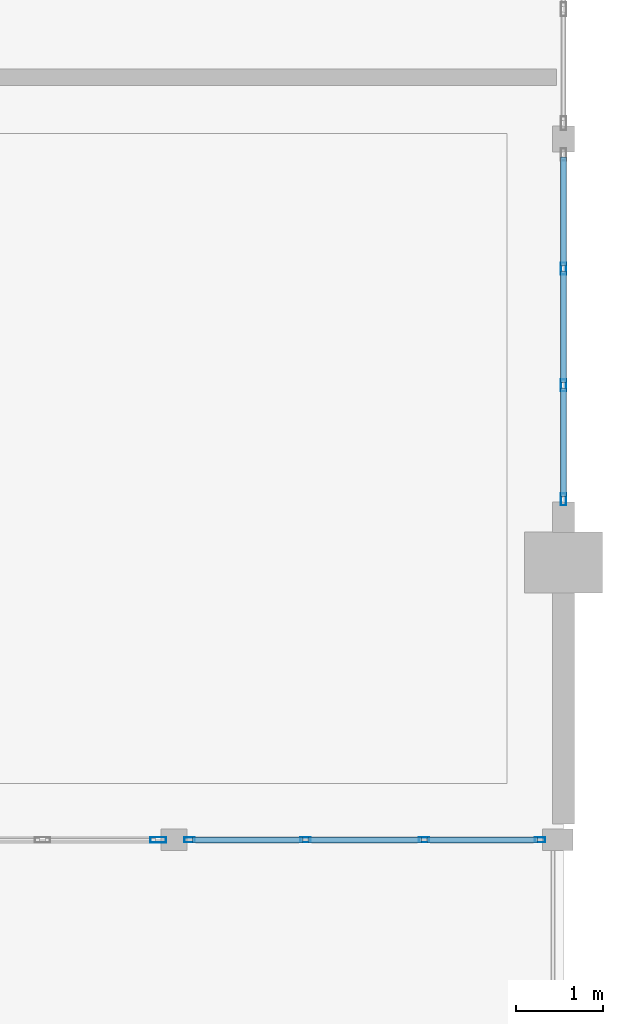
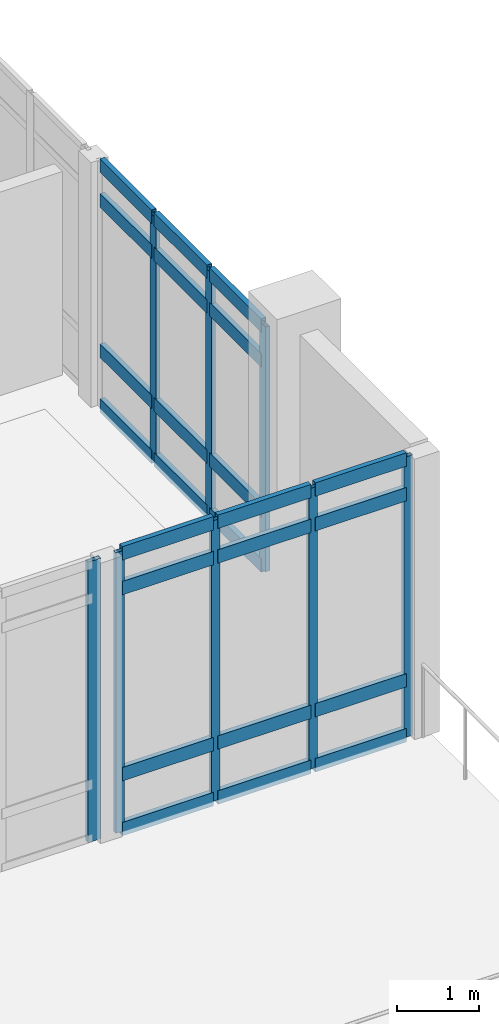
# One storey, part 34 of 55: 32 members, 3 elements without a shape of their own.
"""IFC4 building model written with IfcOpenShell, lengths in metres."""

from ifc_helpers import new_model, si_unit, direction, frame, origin, origin_2d, place, context, subcontext, project, spatial, hollow_rectangle, extrude, material, layer, layer_set, material_profile, profile_set, type_object, element, aggregate, save


model = new_model("IFC4")

# Units and contexts
model_context = context("Model", 3, precision=1e-05, world=origin(), true_north=direction((0.0, 1.0)))
body_context = subcontext(model_context, "Body", "Model", "MODEL_VIEW")
ifc_project = project(units=[si_unit("LENGTHUNIT", "METRE"), si_unit("AREAUNIT", "SQUARE_METRE"), si_unit("VOLUMEUNIT", "CUBIC_METRE"), si_unit("PLANEANGLEUNIT", "RADIAN"), si_unit("MASSUNIT", "GRAM", prefix="KILO")], contexts=[model_context])

# Site, building, storey
site_placement = place(None, origin())
site = spatial("IfcSite", under=ifc_project, at=site_placement, CompositionType="ELEMENT")
building_placement = place(site_placement, origin())
building = spatial("IfcBuilding", under=site, at=building_placement, Name="Fikremerkos Civic Library", CompositionType="ELEMENT")
storey_placement = place(building_placement, frame((0.0, 0.0, 18.89990234375)))
storey = spatial("IfcBuildingStorey", under=building, at=storey_placement, Name="L04", CompositionType="ELEMENT", Elevation=18.89990234375)

# Curtain wall, member
ifc_material = material(Name="Anodized aluminium Frame", Category="aluminium")
ifc_layer_1 = layer(ifc_material, 0.159912109375, Name="Anodized aluminium Frame")
ifc_layer_set_1 = layer_set([ifc_layer_1], Name="Anodized aluminium Frame")
curtain_wall_type_1 = type_object("IfcCurtainWallType", Name="Unitised curtain wall CW-17 4600x3600", PredefinedType="USERDEFINED", material=ifc_layer_set_1)
curtain_wall_1_placement = place(storey_placement, origin())
curtain_wall_1 = element("IfcCurtainWall", 1, at=curtain_wall_1_placement, inside=storey, type_object=curtain_wall_type_1, Name="Unitised curtain wall CW-17 L04 #215", ObjectType="UNITISED CURTAIN WALL", PredefinedType="USERDEFINED")
ifc_material_profile_1 = material_profile(ifc_material, hollow_rectangle(XDim=0.06494140625, YDim=0.179931640625, WallThickness=0.00439453125, at=origin_2d()), Name="ALU 180x65x4.5")
ifc_profile_set_1 = profile_set([ifc_material_profile_1], Name="Anodized aluminium Frame")
member_type_1 = type_object("IfcMemberType", Name="Curtain mullion CWM-01 ALU 180x65x4.5", PredefinedType="MULLION", material=ifc_profile_set_1)
member_1_placement = place(storey_placement, frame((109.02490234375, 8.800048828125, 0.0), z_axis=(0.0, 0.0, 1.0), x_axis=(0.0, -1.0, 0.0)))
member_1 = element("IfcMember", 2, at=member_1_placement, type_object=member_type_1, Name="CW-17 mullion 1", PredefinedType="MULLION", context=body_context, shape_type="SweptSolid", body=[
    extrude(hollow_rectangle(XDim=0.06494140625, YDim=0.179931640625, WallThickness=0.00439453125, at=origin_2d()), origin(), (0.0, 0.0, 1.0), 4.16015625),
])
aggregate(curtain_wall_1, [member_1])

# Curtain wall, members
ifc_layer_2 = layer(ifc_material, 0.159912109375, Name="Anodized aluminium Frame")
ifc_layer_set_2 = layer_set([ifc_layer_2], Name="Anodized aluminium Frame")
curtain_wall_type_2 = type_object("IfcCurtainWallType", Name="Unitised curtain wall CW-15 2900x3600", PredefinedType="USERDEFINED", material=ifc_layer_set_2)
curtain_wall_2_placement = place(storey_placement, origin())
curtain_wall_2 = element("IfcCurtainWall", 3, at=curtain_wall_2_placement, inside=storey, type_object=curtain_wall_type_2, Name="Unitised curtain wall CW-15 L04 #213", ObjectType="UNITISED CURTAIN WALL", PredefinedType="USERDEFINED")
ifc_material_profile_2 = material_profile(ifc_material, hollow_rectangle(XDim=0.06005859375, YDim=0.139892578125, WallThickness=0.00390625, at=origin_2d()), Name="ALU 140x60x4")
ifc_profile_set_2 = profile_set([ifc_material_profile_2], Name="Anodized aluminium Frame")
member_type_2 = type_object("IfcMemberType", Name="Curtain mullion CWM-03 ALU 140x60x4", PredefinedType="MULLION", material=ifc_profile_set_2)
member_2_placement = place(storey_placement, frame((113.699951171875, 15.39013671875, 0.0), z_axis=(0.0, 0.0, 1.0), x_axis=(1.0, 0.0, 0.0)))
member_2 = element("IfcMember", 4, at=member_2_placement, type_object=member_type_2, Name="CW-15 mullion 2", PredefinedType="MULLION", context=body_context, shape_type="SweptSolid", body=[
    extrude(hollow_rectangle(XDim=0.06005859375, YDim=0.139892578125, WallThickness=0.00390625, at=origin_2d()), origin(), (0.0, 0.0, 1.0), 3.630126953125),
])
member_3_placement = place(storey_placement, frame((113.699951171875, 14.0439453125, 0.0), z_axis=(0.0, 0.0, 1.0), x_axis=(1.0, 0.0, 0.0)))
member_3 = element("IfcMember", 5, at=member_3_placement, type_object=member_type_2, Name="CW-15 mullion 3", PredefinedType="MULLION", context=body_context, shape_type="SweptSolid", body=[
    extrude(hollow_rectangle(XDim=0.06005859375, YDim=0.139892578125, WallThickness=0.00390625, at=origin_2d()), origin(), (0.0, 0.0, 1.0), 3.630126953125),
])
member_4_placement = place(storey_placement, frame((113.699951171875, 12.72802734375, 0.0), z_axis=(0.0, 0.0, 1.0), x_axis=(1.0, 0.0, 0.0)))
member_4 = element("IfcMember", 6, at=member_4_placement, type_object=member_type_2, Name="CW-15 mullion 4", PredefinedType="MULLION", context=body_context, shape_type="SweptSolid", body=[
    extrude(hollow_rectangle(XDim=0.06005859375, YDim=0.139892578125, WallThickness=0.00390625, at=origin_2d()), origin(), (0.0, 0.0, 1.0), 3.630126953125),
])

ifc_layer_3 = layer(ifc_material, 0.159912109375, Name="Anodized aluminium Frame")
ifc_layer_set_3 = layer_set([ifc_layer_3], Name="Anodized aluminium Frame")
curtain_wall_type_3 = type_object("IfcCurtainWallType", Name="Unitised curtain wall CW-16 3100x4100", PredefinedType="USERDEFINED", material=ifc_layer_set_3)
curtain_wall_3_placement = place(storey_placement, origin())
curtain_wall_3 = element("IfcCurtainWall", 7, at=curtain_wall_3_placement, inside=storey, type_object=curtain_wall_type_3, Name="Unitised curtain wall CW-16 L04 #214", ObjectType="UNITISED CURTAIN WALL", PredefinedType="USERDEFINED")
ifc_material_profile_3 = material_profile(ifc_material, hollow_rectangle(XDim=0.06005859375, YDim=0.1201171875, WallThickness=0.00390625, at=origin_2d()), Name="ALU 120x60x4")
ifc_profile_set_3 = profile_set([ifc_material_profile_3], Name="Anodized aluminium Frame")
member_type_3 = type_object("IfcMemberType", Name="Curtain mullion CWM-04 ALU 120x60x4", PredefinedType="MULLION", material=ifc_profile_set_3)
member_5_placement = place(storey_placement, frame((113.429931640625, 8.800048828125, 0.0), z_axis=(0.0, 0.0, 1.0), x_axis=(0.0, -1.0, 0.0)))
member_5 = element("IfcMember", 8, at=member_5_placement, type_object=member_type_3, Name="CW-16 mullion 1", PredefinedType="MULLION", context=body_context, shape_type="SweptSolid", body=[
    extrude(hollow_rectangle(XDim=0.06005859375, YDim=0.1201171875, WallThickness=0.00390625, at=origin_2d()), origin(), (0.0, 0.0, 1.0), 4.16015625),
])
member_6_placement = place(storey_placement, frame((112.092529296875, 8.800048828125, 0.0), z_axis=(0.0, 0.0, 1.0), x_axis=(0.0, -1.0, 0.0)))
member_6 = element("IfcMember", 9, at=member_6_placement, type_object=member_type_3, Name="CW-16 mullion 2", PredefinedType="MULLION", context=body_context, shape_type="SweptSolid", body=[
    extrude(hollow_rectangle(XDim=0.06005859375, YDim=0.1201171875, WallThickness=0.00390625, at=origin_2d()), origin(), (0.0, 0.0, 1.0), 4.16015625),
])
member_7_placement = place(storey_placement, frame((110.724853515625, 8.800048828125, 0.0), z_axis=(0.0, 0.0, 1.0), x_axis=(0.0, -1.0, 0.0)))
member_7 = element("IfcMember", 10, at=member_7_placement, type_object=member_type_3, Name="CW-16 mullion 3", PredefinedType="MULLION", context=body_context, shape_type="SweptSolid", body=[
    extrude(hollow_rectangle(XDim=0.06005859375, YDim=0.1201171875, WallThickness=0.00390625, at=origin_2d()), origin(), (0.0, 0.0, 1.0), 4.16015625),
])
member_8_placement = place(storey_placement, frame((109.387451171875, 8.800048828125, 0.0), z_axis=(0.0, 0.0, 1.0), x_axis=(0.0, -1.0, 0.0)))
member_8 = element("IfcMember", 11, at=member_8_placement, type_object=member_type_3, Name="CW-16 mullion 4", PredefinedType="MULLION", context=body_context, shape_type="SweptSolid", body=[
    extrude(hollow_rectangle(XDim=0.06005859375, YDim=0.1201171875, WallThickness=0.00390625, at=origin_2d()), origin(), (0.0, 0.0, 1.0), 4.16015625),
])

# Member
ifc_material_profile_4 = material_profile(ifc_material, hollow_rectangle(XDim=0.070068359375, YDim=0.199951171875, WallThickness=0.0048828125, at=origin_2d()), Name="ALU 200x70x5")
ifc_profile_set_4 = profile_set([ifc_material_profile_4], Name="Anodized aluminium Frame")
member_type_4 = type_object("IfcMemberType", Name="Curtain transom CWT-04 ALU 200x70x5", PredefinedType="USERDEFINED", material=ifc_profile_set_4)
member_9_placement = place(storey_placement, frame((113.699951171875, 16.676025390625, 0.03515625), z_axis=(0.0, -1.0, 0.0), x_axis=(1.0, 0.0, 0.0)))
member_9 = element("IfcMember", 12, at=member_9_placement, type_object=member_type_4, Name="CW-15 transom 1.1", ObjectType="TRANSOM", PredefinedType="USERDEFINED", context=body_context, shape_type="SweptSolid", body=[
    extrude(hollow_rectangle(XDim=0.070068359375, YDim=0.199951171875, WallThickness=0.0048828125, at=origin_2d()), origin(), (0.0, 0.0, 1.0), 1.255859375),
])

member_10_placement = place(storey_placement, frame((113.699951171875, 16.676025390625, 0.85009765625), z_axis=(0.0, -1.0, 0.0), x_axis=(1.0, 0.0, 0.0)))
member_10 = element("IfcMember", 13, at=member_10_placement, type_object=member_type_4, Name="CW-15 transom 1.2", ObjectType="TRANSOM", PredefinedType="USERDEFINED", context=body_context, shape_type="SweptSolid", body=[
    extrude(hollow_rectangle(XDim=0.070068359375, YDim=0.199951171875, WallThickness=0.0048828125, at=origin_2d()), origin(), (0.0, 0.0, 1.0), 1.255859375),
])

member_11_placement = place(storey_placement, frame((113.699951171875, 16.676025390625, 3.080078125), z_axis=(0.0, -1.0, 0.0), x_axis=(1.0, 0.0, 0.0)))
member_11 = element("IfcMember", 14, at=member_11_placement, type_object=member_type_4, Name="CW-15 transom 1.3", ObjectType="TRANSOM", PredefinedType="USERDEFINED", context=body_context, shape_type="SweptSolid", body=[
    extrude(hollow_rectangle(XDim=0.070068359375, YDim=0.199951171875, WallThickness=0.0048828125, at=origin_2d()), origin(), (0.0, 0.0, 1.0), 1.255859375),
])

member_12_placement = place(storey_placement, frame((113.699951171875, 16.676025390625, 3.59521484375), z_axis=(0.0, -1.0, 0.0), x_axis=(1.0, 0.0, 0.0)))
member_12 = element("IfcMember", 15, at=member_12_placement, type_object=member_type_4, Name="CW-15 transom 1.4", ObjectType="TRANSOM", PredefinedType="USERDEFINED", context=body_context, shape_type="SweptSolid", body=[
    extrude(hollow_rectangle(XDim=0.070068359375, YDim=0.199951171875, WallThickness=0.0048828125, at=origin_2d()), origin(), (0.0, 0.0, 1.0), 1.255859375),
])

member_13_placement = place(storey_placement, frame((113.699951171875, 15.360107421875, 0.03515625), z_axis=(0.0, -1.0, 0.0), x_axis=(1.0, 0.0, 0.0)))
member_13 = element("IfcMember", 16, at=member_13_placement, type_object=member_type_4, Name="CW-15 transom 2.1", ObjectType="TRANSOM", PredefinedType="USERDEFINED", context=body_context, shape_type="SweptSolid", body=[
    extrude(hollow_rectangle(XDim=0.070068359375, YDim=0.199951171875, WallThickness=0.0048828125, at=origin_2d()), origin(), (0.0, 0.0, 1.0), 1.2861328125),
])

member_14_placement = place(storey_placement, frame((113.699951171875, 15.360107421875, 0.85009765625), z_axis=(0.0, -1.0, 0.0), x_axis=(1.0, 0.0, 0.0)))
member_14 = element("IfcMember", 17, at=member_14_placement, type_object=member_type_4, Name="CW-15 transom 2.2", ObjectType="TRANSOM", PredefinedType="USERDEFINED", context=body_context, shape_type="SweptSolid", body=[
    extrude(hollow_rectangle(XDim=0.070068359375, YDim=0.199951171875, WallThickness=0.0048828125, at=origin_2d()), origin(), (0.0, 0.0, 1.0), 1.2861328125),
])

member_15_placement = place(storey_placement, frame((113.699951171875, 15.360107421875, 3.080078125), z_axis=(0.0, -1.0, 0.0), x_axis=(1.0, 0.0, 0.0)))
member_15 = element("IfcMember", 18, at=member_15_placement, type_object=member_type_4, Name="CW-15 transom 2.3", ObjectType="TRANSOM", PredefinedType="USERDEFINED", context=body_context, shape_type="SweptSolid", body=[
    extrude(hollow_rectangle(XDim=0.070068359375, YDim=0.199951171875, WallThickness=0.0048828125, at=origin_2d()), origin(), (0.0, 0.0, 1.0), 1.2861328125),
])

member_16_placement = place(storey_placement, frame((113.699951171875, 15.360107421875, 3.59521484375), z_axis=(0.0, -1.0, 0.0), x_axis=(1.0, 0.0, 0.0)))
member_16 = element("IfcMember", 19, at=member_16_placement, type_object=member_type_4, Name="CW-15 transom 2.4", ObjectType="TRANSOM", PredefinedType="USERDEFINED", context=body_context, shape_type="SweptSolid", body=[
    extrude(hollow_rectangle(XDim=0.070068359375, YDim=0.199951171875, WallThickness=0.0048828125, at=origin_2d()), origin(), (0.0, 0.0, 1.0), 1.2861328125),
])

member_17_placement = place(storey_placement, frame((113.699951171875, 14.013916015625, 0.03515625), z_axis=(0.0, -1.0, 0.0), x_axis=(1.0, 0.0, 0.0)))
member_17 = element("IfcMember", 20, at=member_17_placement, type_object=member_type_4, Name="CW-15 transom 3.1", ObjectType="TRANSOM", PredefinedType="USERDEFINED", context=body_context, shape_type="SweptSolid", body=[
    extrude(hollow_rectangle(XDim=0.070068359375, YDim=0.199951171875, WallThickness=0.0048828125, at=origin_2d()), origin(), (0.0, 0.0, 1.0), 1.255859375),
])

member_18_placement = place(storey_placement, frame((113.699951171875, 14.013916015625, 0.85009765625), z_axis=(0.0, -1.0, 0.0), x_axis=(1.0, 0.0, 0.0)))
member_18 = element("IfcMember", 21, at=member_18_placement, type_object=member_type_4, Name="CW-15 transom 3.2", ObjectType="TRANSOM", PredefinedType="USERDEFINED", context=body_context, shape_type="SweptSolid", body=[
    extrude(hollow_rectangle(XDim=0.070068359375, YDim=0.199951171875, WallThickness=0.0048828125, at=origin_2d()), origin(), (0.0, 0.0, 1.0), 1.255859375),
])

member_19_placement = place(storey_placement, frame((113.699951171875, 14.013916015625, 3.080078125), z_axis=(0.0, -1.0, 0.0), x_axis=(1.0, 0.0, 0.0)))
member_19 = element("IfcMember", 22, at=member_19_placement, type_object=member_type_4, Name="CW-15 transom 3.3", ObjectType="TRANSOM", PredefinedType="USERDEFINED", context=body_context, shape_type="SweptSolid", body=[
    extrude(hollow_rectangle(XDim=0.070068359375, YDim=0.199951171875, WallThickness=0.0048828125, at=origin_2d()), origin(), (0.0, 0.0, 1.0), 1.255859375),
])

member_20_placement = place(storey_placement, frame((113.699951171875, 14.013916015625, 3.59521484375), z_axis=(0.0, -1.0, 0.0), x_axis=(1.0, 0.0, 0.0)))
member_20 = element("IfcMember", 23, at=member_20_placement, type_object=member_type_4, Name="CW-15 transom 3.4", ObjectType="TRANSOM", PredefinedType="USERDEFINED", context=body_context, shape_type="SweptSolid", body=[
    extrude(hollow_rectangle(XDim=0.070068359375, YDim=0.199951171875, WallThickness=0.0048828125, at=origin_2d()), origin(), (0.0, 0.0, 1.0), 1.255859375),
])

aggregate(curtain_wall_2, [member_2, member_3, member_4, member_9, member_10, member_11, member_12, member_13, member_14, member_15, member_16, member_17, member_18, member_19, member_20])

member_21_placement = place(storey_placement, frame((113.39990234375, 8.800048828125, 0.03515625), z_axis=(-1.0, 0.0, 0.0), x_axis=(0.0, -1.0, 0.0)))
member_21 = element("IfcMember", 24, at=member_21_placement, type_object=member_type_4, Name="CW-16 transom 1.1", ObjectType="TRANSOM", PredefinedType="USERDEFINED", context=body_context, shape_type="SweptSolid", body=[
    extrude(hollow_rectangle(XDim=0.070068359375, YDim=0.199951171875, WallThickness=0.0048828125, at=origin_2d()), origin(), (0.0, 0.0, 1.0), 1.27734375),
])

member_22_placement = place(storey_placement, frame((113.39990234375, 8.800048828125, 0.85009765625), z_axis=(-1.0, 0.0, 0.0), x_axis=(0.0, -1.0, 0.0)))
member_22 = element("IfcMember", 25, at=member_22_placement, type_object=member_type_4, Name="CW-16 transom 1.2", ObjectType="TRANSOM", PredefinedType="USERDEFINED", context=body_context, shape_type="SweptSolid", body=[
    extrude(hollow_rectangle(XDim=0.070068359375, YDim=0.199951171875, WallThickness=0.0048828125, at=origin_2d()), origin(), (0.0, 0.0, 1.0), 1.27734375),
])

member_23_placement = place(storey_placement, frame((113.39990234375, 8.800048828125, 3.610107421875), z_axis=(-1.0, 0.0, 0.0), x_axis=(0.0, -1.0, 0.0)))
member_23 = element("IfcMember", 26, at=member_23_placement, type_object=member_type_4, Name="CW-16 transom 1.3", ObjectType="TRANSOM", PredefinedType="USERDEFINED", context=body_context, shape_type="SweptSolid", body=[
    extrude(hollow_rectangle(XDim=0.070068359375, YDim=0.199951171875, WallThickness=0.0048828125, at=origin_2d()), origin(), (0.0, 0.0, 1.0), 1.27734375),
])

member_24_placement = place(storey_placement, frame((113.39990234375, 8.800048828125, 4.125), z_axis=(-1.0, 0.0, 0.0), x_axis=(0.0, -1.0, 0.0)))
member_24 = element("IfcMember", 27, at=member_24_placement, type_object=member_type_4, Name="CW-16 transom 1.4", ObjectType="TRANSOM", PredefinedType="USERDEFINED", context=body_context, shape_type="SweptSolid", body=[
    extrude(hollow_rectangle(XDim=0.070068359375, YDim=0.199951171875, WallThickness=0.0048828125, at=origin_2d()), origin(), (0.0, 0.0, 1.0), 1.27734375),
])

member_25_placement = place(storey_placement, frame((112.0625, 8.800048828125, 0.03515625), z_axis=(-1.0, 0.0, 0.0), x_axis=(0.0, -1.0, 0.0)))
member_25 = element("IfcMember", 28, at=member_25_placement, type_object=member_type_4, Name="CW-16 transom 2.1", ObjectType="TRANSOM", PredefinedType="USERDEFINED", context=body_context, shape_type="SweptSolid", body=[
    extrude(hollow_rectangle(XDim=0.070068359375, YDim=0.199951171875, WallThickness=0.0048828125, at=origin_2d()), origin(), (0.0, 0.0, 1.0), 1.3076171875),
])

member_26_placement = place(storey_placement, frame((112.0625, 8.800048828125, 0.85009765625), z_axis=(-1.0, 0.0, 0.0), x_axis=(0.0, -1.0, 0.0)))
member_26 = element("IfcMember", 29, at=member_26_placement, type_object=member_type_4, Name="CW-16 transom 2.2", ObjectType="TRANSOM", PredefinedType="USERDEFINED", context=body_context, shape_type="SweptSolid", body=[
    extrude(hollow_rectangle(XDim=0.070068359375, YDim=0.199951171875, WallThickness=0.0048828125, at=origin_2d()), origin(), (0.0, 0.0, 1.0), 1.3076171875),
])

member_27_placement = place(storey_placement, frame((112.0625, 8.800048828125, 3.610107421875), z_axis=(-1.0, 0.0, 0.0), x_axis=(0.0, -1.0, 0.0)))
member_27 = element("IfcMember", 30, at=member_27_placement, type_object=member_type_4, Name="CW-16 transom 2.3", ObjectType="TRANSOM", PredefinedType="USERDEFINED", context=body_context, shape_type="SweptSolid", body=[
    extrude(hollow_rectangle(XDim=0.070068359375, YDim=0.199951171875, WallThickness=0.0048828125, at=origin_2d()), origin(), (0.0, 0.0, 1.0), 1.3076171875),
])

member_28_placement = place(storey_placement, frame((112.0625, 8.800048828125, 4.125), z_axis=(-1.0, 0.0, 0.0), x_axis=(0.0, -1.0, 0.0)))
member_28 = element("IfcMember", 31, at=member_28_placement, type_object=member_type_4, Name="CW-16 transom 2.4", ObjectType="TRANSOM", PredefinedType="USERDEFINED", context=body_context, shape_type="SweptSolid", body=[
    extrude(hollow_rectangle(XDim=0.070068359375, YDim=0.199951171875, WallThickness=0.0048828125, at=origin_2d()), origin(), (0.0, 0.0, 1.0), 1.3076171875),
])

member_29_placement = place(storey_placement, frame((110.69482421875, 8.800048828125, 0.03515625), z_axis=(-1.0, 0.0, 0.0), x_axis=(0.0, -1.0, 0.0)))
member_29 = element("IfcMember", 32, at=member_29_placement, type_object=member_type_4, Name="CW-16 transom 3.1", ObjectType="TRANSOM", PredefinedType="USERDEFINED", context=body_context, shape_type="SweptSolid", body=[
    extrude(hollow_rectangle(XDim=0.070068359375, YDim=0.199951171875, WallThickness=0.0048828125, at=origin_2d()), origin(), (0.0, 0.0, 1.0), 1.277587890625),
])

member_30_placement = place(storey_placement, frame((110.69482421875, 8.800048828125, 0.85009765625), z_axis=(-1.0, 0.0, 0.0), x_axis=(0.0, -1.0, 0.0)))
member_30 = element("IfcMember", 33, at=member_30_placement, type_object=member_type_4, Name="CW-16 transom 3.2", ObjectType="TRANSOM", PredefinedType="USERDEFINED", context=body_context, shape_type="SweptSolid", body=[
    extrude(hollow_rectangle(XDim=0.070068359375, YDim=0.199951171875, WallThickness=0.0048828125, at=origin_2d()), origin(), (0.0, 0.0, 1.0), 1.277587890625),
])

member_31_placement = place(storey_placement, frame((110.69482421875, 8.800048828125, 3.610107421875), z_axis=(-1.0, 0.0, 0.0), x_axis=(0.0, -1.0, 0.0)))
member_31 = element("IfcMember", 34, at=member_31_placement, type_object=member_type_4, Name="CW-16 transom 3.3", ObjectType="TRANSOM", PredefinedType="USERDEFINED", context=body_context, shape_type="SweptSolid", body=[
    extrude(hollow_rectangle(XDim=0.070068359375, YDim=0.199951171875, WallThickness=0.0048828125, at=origin_2d()), origin(), (0.0, 0.0, 1.0), 1.277587890625),
])

member_32_placement = place(storey_placement, frame((110.69482421875, 8.800048828125, 4.125), z_axis=(-1.0, 0.0, 0.0), x_axis=(0.0, -1.0, 0.0)))
member_32 = element("IfcMember", 35, at=member_32_placement, type_object=member_type_4, Name="CW-16 transom 3.4", ObjectType="TRANSOM", PredefinedType="USERDEFINED", context=body_context, shape_type="SweptSolid", body=[
    extrude(hollow_rectangle(XDim=0.070068359375, YDim=0.199951171875, WallThickness=0.0048828125, at=origin_2d()), origin(), (0.0, 0.0, 1.0), 1.277587890625),
])

aggregate(curtain_wall_3, [member_5, member_6, member_7, member_8, member_21, member_22, member_23, member_24, member_25, member_26, member_27, member_28, member_29, member_30, member_31, member_32])

save(model, "model.ifc")
